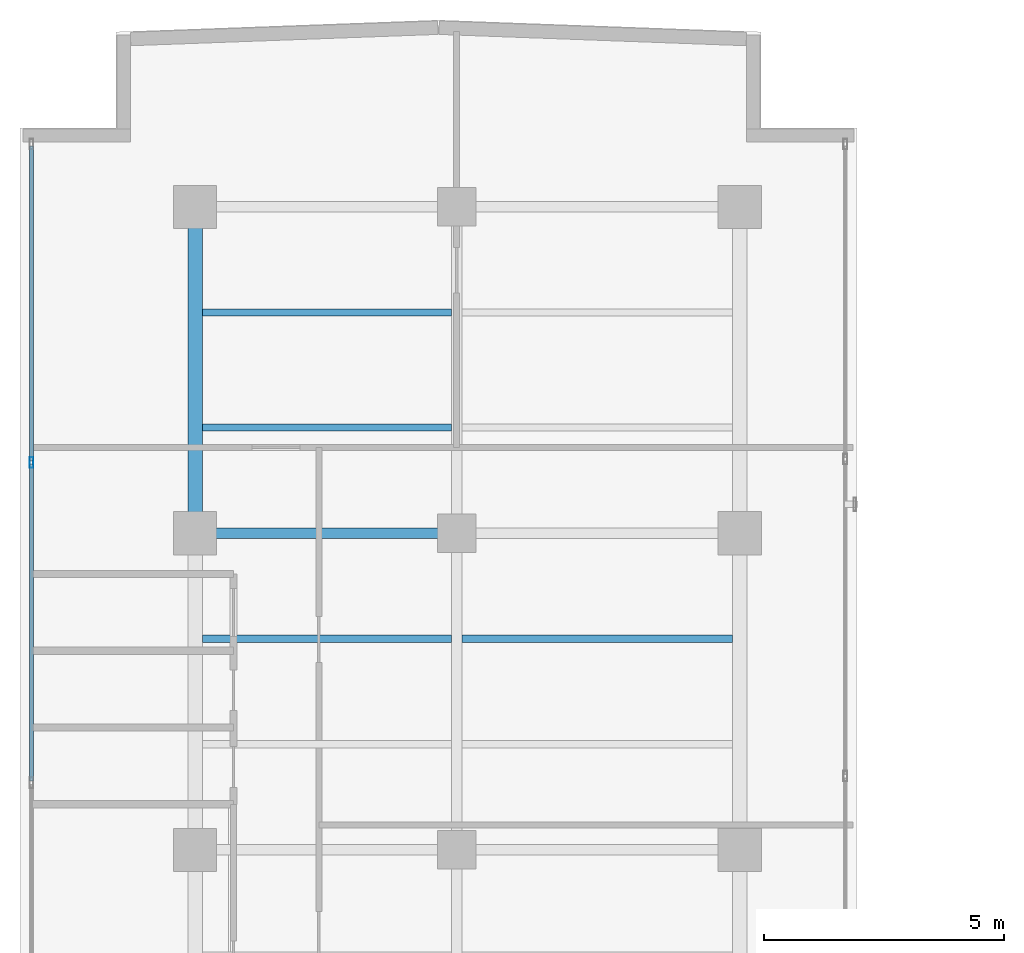
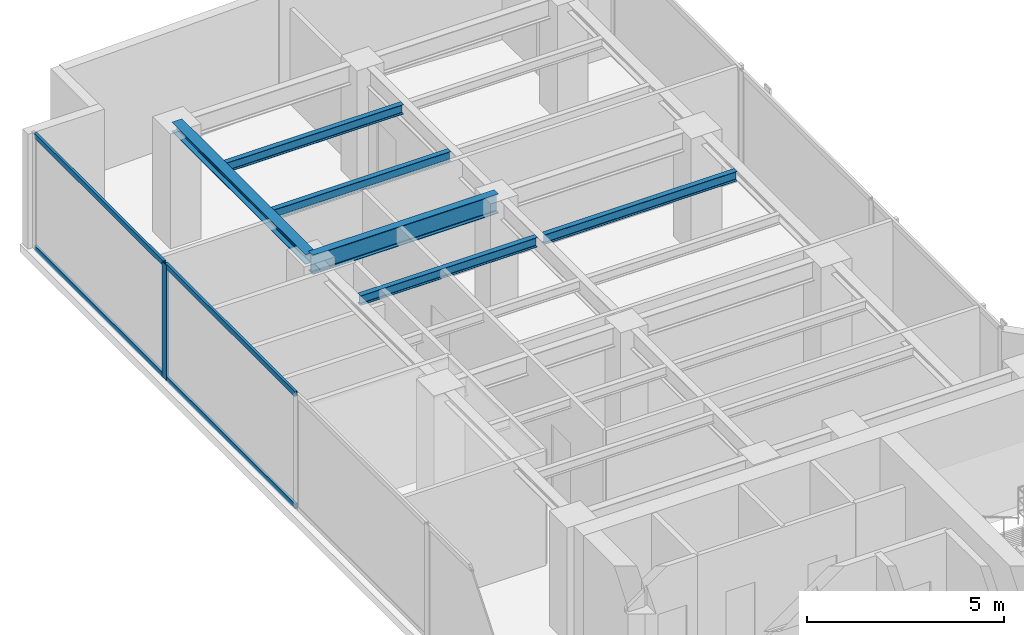
# One storey, part 12 of 23: 6 beams, 5 members, 1 element without a shape of its own.
"""IFC4 building model written with IfcOpenShell, lengths in metres."""

import ifcopenshell
import ifcopenshell.guid

model = None  # the IFC model being written
_history = None  # IfcOwnerHistory: only IFC2X3 demands one
_inside = {}  # id of a spatial element -> (the spatial element, [elements in it])
_under = {}  # id of a project, library or spatial element -> (it, [spatial elements below it])
_declared = {}  # id of a project -> (the project, [libraries it declares])
_typed = {}  # id of a type object -> (the type object, [elements of that type])
_made_of = {}  # id of a material, layer set ... -> (it, [elements and type objects made of it])


def new_model(schema):
    """Start an empty IFC model of exactly this schema.

    Asked for "IFC4X3", IfcOpenShell would pick the latest addendum, in which some entities
    have other attributes; the version numbers below select the first issue.
    IFC2X3 requires an IfcOwnerHistory on every rooted entity: one is made here for all.
    """
    global model, _history
    if schema == "IFC4X3":
        model = ifcopenshell.file(schema_version=(4, 3, 0, 0))
    else:
        model = ifcopenshell.file(schema=schema)
    _inside.clear()
    _under.clear()
    _declared.clear()
    _typed.clear()
    _made_of.clear()
    _history = None
    if model.schema == "IFC2X3":
        org = make("IfcOrganization", Name="unknown")
        user = make(
            "IfcPersonAndOrganization",
            ThePerson=make("IfcPerson", FamilyName="unknown"),
            TheOrganization=org,
        )
        app = make(
            "IfcApplication",
            ApplicationDeveloper=org,
            Version="unknown",
            ApplicationFullName="unknown",
            ApplicationIdentifier="unknown",
        )
        _history = make(
            "IfcOwnerHistory",
            OwningUser=user,
            OwningApplication=app,
            ChangeAction="ADDED",
            CreationDate=0,
        )
    return model


def make(cls, **values):
    """One entity of the class cls with the attributes given. An attribute that is None is left unset."""
    return model.create_entity(
        cls, **{name: value for name, value in values.items() if value is not None}
    )


def rooted(cls, **values):
    """An entity with a GlobalId (a new one), such as an element, a storey or a relation."""
    return make(cls, GlobalId=ifcopenshell.guid.new(), OwnerHistory=_history, **values)


def si_unit(unit_type, name, prefix=None):
    """IfcSIUnit, for example si_unit("LENGTHUNIT", "METRE", prefix="MILLI")."""
    return make("IfcSIUnit", UnitType=unit_type, Prefix=prefix, Name=name)


def assignment(units):
    """IfcUnitAssignment: the units of a project."""
    return None if units is None else make("IfcUnitAssignment", Units=units)


def point(xyz):
    """IfcCartesianPoint."""
    return None if xyz is None else make("IfcCartesianPoint", Coordinates=xyz)


def direction(xyz):
    """IfcDirection."""
    return None if xyz is None else make("IfcDirection", DirectionRatios=xyz)


def frame(location, z_axis=None, x_axis=None):
    """IfcAxis2Placement3D, a coordinate frame: its origin and axes. An axis left out is left unset."""
    return make(
        "IfcAxis2Placement3D",
        Location=point(location),
        Axis=direction(z_axis),
        RefDirection=direction(x_axis),
    )


def frame_2d(location, x_axis=None):
    """IfcAxis2Placement2D, a coordinate frame in the plane: its origin and x axis."""
    return make(
        "IfcAxis2Placement2D", Location=point(location), RefDirection=direction(x_axis)
    )


def origin():
    """The frame at (0, 0, 0) with its axes left unset."""
    return frame((0.0, 0.0, 0.0))


def origin_with_axes():
    """The frame at (0, 0, 0) with the z axis (0, 0, 1) and the x axis (1, 0, 0) written out."""
    return frame((0.0, 0.0, 0.0), z_axis=(0.0, 0.0, 1.0), x_axis=(1.0, 0.0, 0.0))


def origin_2d():
    """The frame at (0, 0) in the plane with its x axis left unset."""
    return frame_2d((0.0, 0.0))


def place(relative_to, where):
    """IfcLocalPlacement: puts the frame where relative to a parent placement (None: the world)."""
    return make(
        "IfcLocalPlacement", PlacementRelTo=relative_to, RelativePlacement=where
    )


def context(
    kind, dimensions, precision=None, world=None, true_north=None, identifier=None
):
    """IfcGeometricRepresentationContext, for example the 3D "Model" context."""
    return make(
        "IfcGeometricRepresentationContext",
        ContextIdentifier=identifier,
        ContextType=kind,
        CoordinateSpaceDimension=dimensions,
        Precision=precision,
        WorldCoordinateSystem=world,
        TrueNorth=true_north,
    )


def subcontext(parent, identifier, kind, view, scale=None):
    """IfcGeometricRepresentationSubContext, for example "Body" below "Model"."""
    return make(
        "IfcGeometricRepresentationSubContext",
        ContextIdentifier=identifier,
        ContextType=kind,
        ParentContext=parent,
        TargetScale=scale,
        TargetView=view,
    )


def project(units=None, contexts=None):
    """IfcProject with its units and contexts."""
    return rooted(
        "IfcProject",
        Name="project",
        RepresentationContexts=contexts,
        UnitsInContext=assignment(units),
    )


def spatial(cls, under=None, at=None, **own):
    """A site, building, storey or space (cls), placed at a placement, below another one or the project."""
    s = rooted(cls, ObjectPlacement=at, **own)
    if under is not None:
        _under.setdefault(under.id(), (under, []))[1].append(s)
    return s


def profile(cls, at=None, kind="AREA", **sizes):
    """A parametric profile (cls). Its sizes go by their IFC names, for example OverallWidth=200.0."""
    return make(cls, ProfileType=kind, Position=at, **sizes)


def hollow_rectangle(**sizes):
    """IfcRectangleHollowProfileDef."""
    return profile("IfcRectangleHollowProfileDef", **sizes)


def i_section(**sizes):
    """IfcIShapeProfileDef."""
    return profile("IfcIShapeProfileDef", **sizes)


def extrude(swept, where, along, depth):
    """IfcExtrudedAreaSolid: the profile swept, set in the frame where, extruded along a direction by depth."""
    return make(
        "IfcExtrudedAreaSolid",
        SweptArea=swept,
        Position=where,
        ExtrudedDirection=direction(along),
        Depth=depth,
    )


def shape(context_of_items, identifier, shape_type, items):
    """IfcShapeRepresentation: the items that make up one representation, for example the "Body"."""
    return make(
        "IfcShapeRepresentation",
        ContextOfItems=context_of_items,
        RepresentationIdentifier=identifier,
        RepresentationType=shape_type,
        Items=items,
    )


def source(mapping_origin, context_of_items, identifier, shape_type, items):
    """IfcRepresentationMap: a shape defined once, which mapped items show again and again."""
    return make(
        "IfcRepresentationMap",
        MappingOrigin=mapping_origin,
        MappedRepresentation=shape(context_of_items, identifier, shape_type, items),
    )


def transform(
    local_origin,
    x_axis=None,
    y_axis=None,
    z_axis=None,
    scale=None,
    scale2=None,
    scale3=None,
    uniform=True,
):
    """IfcCartesianTransformationOperator3D, or its non-uniform kind. x_axis, y_axis, z_axis: its Axis1, 2, 3."""
    if uniform:
        return make(
            "IfcCartesianTransformationOperator3D",
            Axis1=direction(x_axis),
            Axis2=direction(y_axis),
            LocalOrigin=point(local_origin),
            Scale=scale,
            Axis3=direction(z_axis),
        )
    return make(
        "IfcCartesianTransformationOperator3DnonUniform",
        Axis1=direction(x_axis),
        Axis2=direction(y_axis),
        LocalOrigin=point(local_origin),
        Scale=scale,
        Axis3=direction(z_axis),
        Scale2=scale2,
        Scale3=scale3,
    )


def mapped(mapping_source, mapping_target):
    """IfcMappedItem: shows the shape of a source again, moved by a transform."""
    return make(
        "IfcMappedItem", MappingSource=mapping_source, MappingTarget=mapping_target
    )


def material(Name=None, Category=None):
    """IfcMaterial."""
    return make("IfcMaterial", Name=Name, Category=Category)


def layer(
    of_material, thickness, ventilated=None, Name=None, Category=None, Priority=None
):
    """IfcMaterialLayer: one layer of a wall or slab, of a material (None: an air gap)."""
    return make(
        "IfcMaterialLayer",
        Material=of_material,
        LayerThickness=thickness,
        IsVentilated=ventilated,
        Name=Name,
        Category=Category,
        Priority=Priority,
    )


def layer_set(layers, Name=None):
    """IfcMaterialLayerSet."""
    return make("IfcMaterialLayerSet", MaterialLayers=layers, LayerSetName=Name)


def material_profile(
    of_material, cross_section, Name=None, Category=None, Priority=None
):
    """IfcMaterialProfile: a cross section and its material."""
    return make(
        "IfcMaterialProfile",
        Name=Name,
        Material=of_material,
        Profile=cross_section,
        Priority=Priority,
        Category=Category,
    )


def profile_set(profiles, Name=None, composite=None):
    """IfcMaterialProfileSet."""
    return make(
        "IfcMaterialProfileSet",
        Name=Name,
        MaterialProfiles=profiles,
        CompositeProfile=composite,
    )


def made_of(thing, what):
    """Note that an element or type object is made of a material, layer set ...; save() writes the relation."""
    if what is not None:
        _made_of.setdefault(what.id(), (what, []))[1].append(thing)
    return thing


def type_object(cls, material=None, **own):
    """A type object (cls), such as IfcWallType, which elements share."""
    return made_of(rooted(cls, **own), material)


def element(
    cls,
    number,
    at=None,
    inside=None,
    cuts=None,
    type_object=None,
    material=None,
    context=None,
    identifier="Body",
    shape_type=None,
    held_by="IfcProductDefinitionShape",
    body=None,
    shapes=None,
    **own,
):
    """One element of the class cls, such as IfcWall. Its Tag is "e" and its number.

    at: its placement. inside: the storey or other place that contains it. cuts: it is an
    opening in that element (IfcRelVoidsElement). A single representation is given by context,
    identifier, shape_type and body (its items); several are given by shapes. held_by: the class
    of the entity that holds the representations. save() writes the other relations.
    """
    e = rooted(cls, Tag="e%d" % number, ObjectPlacement=at, **own)
    if body is not None:
        shapes = [shape(context, identifier, shape_type, body)]
    if shapes is not None:
        e.Representation = make(held_by, Representations=shapes)
    if inside is not None:
        _inside.setdefault(inside.id(), (inside, []))[1].append(e)
    if cuts is not None:
        rooted(
            "IfcRelVoidsElement", RelatingBuildingElement=cuts, RelatedOpeningElement=e
        )
    if type_object is not None:
        _typed.setdefault(type_object.id(), (type_object, []))[1].append(e)
    return made_of(e, material)


def aggregate(whole, parts):
    """IfcRelAggregates: a whole, such as a stair, and the parts it consists of."""
    return rooted("IfcRelAggregates", RelatingObject=whole, RelatedObjects=parts)


def save(model, path):
    """Write the relations noted so far, then the file.

    IfcRelAggregates (storeys below a building ...), IfcRelContainedInSpatialStructure (elements
    in a storey), IfcRelDefinesByType, IfcRelAssociatesMaterial and IfcRelDeclares: one each for
    every whole, place, type object, material and project.
    """
    for whole, parts in _under.values():
        aggregate(whole, parts)
    for where, things in _inside.values():
        rooted(
            "IfcRelContainedInSpatialStructure",
            RelatedElements=things,
            RelatingStructure=where,
        )
    for kind, things in _typed.values():
        rooted("IfcRelDefinesByType", RelatedObjects=things, RelatingType=kind)
    for what, things in _made_of.values():
        rooted("IfcRelAssociatesMaterial", RelatedObjects=things, RelatingMaterial=what)
    for by, libraries in _declared.values():
        rooted("IfcRelDeclares", RelatingContext=by, RelatedDefinitions=libraries)
    model.write(path)


model = new_model("IFC4")

# Units and contexts
model_context = context("Model", 3, precision=1e-05, world=origin(), true_north=direction((0.0, 1.0)))
body_context = subcontext(model_context, "Body", "Model", "MODEL_VIEW")
ifc_project = project(units=[si_unit("LENGTHUNIT", "METRE"), si_unit("AREAUNIT", "SQUARE_METRE"), si_unit("VOLUMEUNIT", "CUBIC_METRE"), si_unit("PLANEANGLEUNIT", "RADIAN"), si_unit("MASSUNIT", "GRAM", prefix="KILO")], contexts=[model_context])

# Site, building, storey
site_placement = place(None, origin())
site = spatial("IfcSite", under=ifc_project, at=site_placement, CompositionType="ELEMENT")
building_placement = place(site_placement, origin())
building = spatial("IfcBuilding", under=site, at=building_placement, Name="Kolvaren Waterfront Exchange", CompositionType="ELEMENT")
storey_placement = place(building_placement, frame((0.0, 0.0, 319.800048828125)))
storey = spatial("IfcBuildingStorey", under=building, at=storey_placement, Name="L82", CompositionType="ELEMENT", Elevation=319.800048828125)

# Beams
ifc_material_1 = material(Name="Steel S355", Category="steel")
ifc_material_profile_1 = material_profile(ifc_material_1, i_section(OverallWidth=0.300048828125, OverallDepth=0.300048828125, WebThickness=0.010986328125, FlangeThickness=0.01904296875, FilletRadius=0.027099609375, at=origin_2d()), Name="HEB300")
ifc_profile_set_1 = profile_set([ifc_material_profile_1], Name="Steel S355")
beam_type_1 = type_object("IfcBeamType", Name="STR-BM-HEB300", PredefinedType="SPANDREL", material=ifc_profile_set_1)
beam_1_placement = place(storey_placement, frame((7.449951171875, 37.800048828125, 3.409912109375), z_axis=(0.0, 1.0, 0.0), x_axis=(-1.0, 0.0, 0.0)))
element("IfcBeam", 1, at=beam_1_placement, inside=storey, type_object=beam_type_1, Name="L82 north-arm edge beam 3", PredefinedType="SPANDREL", context=body_context, shape_type="SweptSolid", body=[
    extrude(i_section(OverallWidth=0.300048828125, OverallDepth=0.300048828125, WebThickness=0.010986328125, FlangeThickness=0.01904296875, FilletRadius=0.027099609375, at=origin_2d()), origin(), (0.0, 0.0, 1.0), 6.800048828125),
])
ifc_material_profile_2 = material_profile(ifc_material_1, i_section(OverallWidth=0.14990234375, OverallDepth=0.300048828125, WebThickness=0.007080078125, FlangeThickness=0.0107421875, FilletRadius=0.014892578125, at=origin_2d()), Name="IPE300")
ifc_profile_set_2 = profile_set([ifc_material_profile_2], Name="Steel S355")
beam_type_2 = type_object("IfcBeamType", Name="STR-BM-IPE300", PredefinedType="JOIST", material=ifc_profile_set_2)
beam_2_placement = place(storey_placement, frame((7.60205078125, 35.60009765625, 3.409912109375), z_axis=(1.0, 0.0, 0.0), x_axis=(0.0, 1.0, 0.0)))
element("IfcBeam", 2, at=beam_2_placement, inside=storey, type_object=beam_type_2, Name="L82 north-arm composite joist 4A", PredefinedType="JOIST", context=body_context, shape_type="SweptSolid", body=[
    extrude(i_section(OverallWidth=0.14990234375, OverallDepth=0.300048828125, WebThickness=0.007080078125, FlangeThickness=0.0107421875, FilletRadius=0.014892578125, at=origin_2d()), origin(), (0.0, 0.0, 1.0), 5.18603515625),
])
beam_3_placement = place(storey_placement, frame((13.011962890625, 35.60009765625, 3.409912109375), z_axis=(1.0, 0.0, 0.0), x_axis=(0.0, 1.0, 0.0)))
element("IfcBeam", 3, at=beam_3_placement, inside=storey, type_object=beam_type_2, Name="L82 north-arm composite joist 4B", PredefinedType="JOIST", context=body_context, shape_type="SweptSolid", body=[
    extrude(i_section(OverallWidth=0.14990234375, OverallDepth=0.300048828125, WebThickness=0.007080078125, FlangeThickness=0.0107421875, FilletRadius=0.014892578125, at=origin_2d()), origin(), (0.0, 0.0, 1.0), 5.635986328125),
])
for number, where, z_axis, x_axis, name in (
    (4, (7.60205078125, 40.0, 3.409912109375), (1.0, 0.0, 0.0), (0.0, 1.0, 0.0), "L82 north-arm composite joist 5A"),
    (5, (7.60205078125, 42.39990234375, 3.409912109375), (1.0, 0.0, 0.0), (0.0, 1.0, 0.0), "L82 north-arm composite joist 6A"),
):
    element("IfcBeam", number, at=place(storey_placement, frame(where, z_axis=z_axis, x_axis=x_axis)), inside=storey, type_object=beam_type_2, Name=name, PredefinedType="JOIST", context=body_context, shape_type="SweptSolid", body=[
        extrude(i_section(OverallWidth=0.14990234375, OverallDepth=0.300048828125, WebThickness=0.007080078125, FlangeThickness=0.0107421875, FilletRadius=0.014892578125, at=origin_2d()), origin(), (0.0, 0.0, 1.0), 5.18603515625),
    ])
ifc_material_profile_3 = material_profile(ifc_material_1, i_section(OverallWidth=0.219970703125, OverallDepth=0.60009765625, WebThickness=0.011962890625, FlangeThickness=0.01904296875, FilletRadius=0.02392578125, at=origin_2d()), Name="IPE600")
ifc_profile_set_3 = profile_set([ifc_material_profile_3], Name="Steel S355")
beam_type_3 = type_object("IfcBeamType", Name="STR-BM-IPE600", PredefinedType="BEAM", material=ifc_profile_set_3)
beam_4_placement = place(storey_placement, frame((7.449951171875, 37.800048828125, 3.260009765625), z_axis=(1.0, 0.0, 0.0), x_axis=(0.0, 1.0, 0.0)))
element("IfcBeam", 6, at=beam_4_placement, inside=storey, type_object=beam_type_3, Name="L82 north-arm girder 3A", PredefinedType="BEAM", context=body_context, shape_type="SweptSolid", body=[
    extrude(i_section(OverallWidth=0.219970703125, OverallDepth=0.60009765625, WebThickness=0.011962890625, FlangeThickness=0.01904296875, FilletRadius=0.02392578125, at=origin_2d()), origin(), (0.0, 0.0, 1.0), 5.449951171875),
])

# Curtain wall, members
ifc_material_2 = material(Name="Anodised aluminium 6063-T6", Category="aluminium")
ifc_layer = layer(ifc_material_2, 0.219970703125, Name="Anodised aluminium 6063-T6")
ifc_layer_set = layer_set([ifc_layer], Name="Anodised aluminium 6063-T6")
curtain_wall_type = type_object("IfcCurtainWallType", Name="ARC-CW-SYS2", PredefinedType="USERDEFINED", material=ifc_layer_set)
curtain_wall_placement = place(storey_placement, origin())
curtain_wall = element("IfcCurtainWall", 7, at=curtain_wall_placement, inside=storey, type_object=curtain_wall_type, Name="L82 stick curtain wall CW2 (CW-L82-W)", ObjectType="STICK CURTAIN WALL", PredefinedType="USERDEFINED")
ifc_material_profile_4 = material_profile(ifc_material_2, hollow_rectangle(XDim=0.080078125, YDim=0.219970703125, WallThickness=0.0048828125, at=origin_2d()), Name="ALU-MUL-220x80x5")
ifc_profile_set_4 = profile_set([ifc_material_profile_4], Name="Anodised aluminium 6063-T6")
member_type_1 = type_object("IfcMemberType", Name="ARC-CWM-220", PredefinedType="MULLION", material=ifc_profile_set_4)
shared_shape_1 = source(origin_with_axes(), body_context, "Body", "SweptSolid", [
    extrude(hollow_rectangle(XDim=0.080078125, YDim=0.219970703125, WallThickness=0.0048828125, at=origin_2d()), origin(), (0.0, 0.0, 1.0), 3.56005859375),
])
member_1_placement = place(storey_placement, frame((4.0400390625, 39.27294921875, 0.0), z_axis=(0.0, 0.0, 1.0), x_axis=(-1.0, 0.0, 0.0)))
member_1 = element("IfcMember", 8, at=member_1_placement, type_object=member_type_1, Name="CW2 mullion 6", PredefinedType="MULLION", context=body_context, shape_type="MappedRepresentation", body=[
    mapped(shared_shape_1, transform((0.0, 0.0, 0.0), x_axis=(1.0, 0.0, 0.0), y_axis=(0.0, 1.0, 0.0), z_axis=(0.0, 0.0, 1.0), scale=1.0)),
])
ifc_material_profile_5 = material_profile(ifc_material_2, hollow_rectangle(XDim=0.074951171875, YDim=0.159912109375, WallThickness=0.00439453125, at=origin_2d()), Name="ALU-TRN-160x75x4.5")
ifc_profile_set_5 = profile_set([ifc_material_profile_5], Name="Anodised aluminium 6063-T6")
member_type_2 = type_object("IfcMemberType", Name="ARC-CWT-160", PredefinedType="USERDEFINED", material=ifc_profile_set_5)
shared_shape_2 = source(origin_with_axes(), body_context, "Body", "SweptSolid", [
    extrude(hollow_rectangle(XDim=0.074951171875, YDim=0.159912109375, WallThickness=0.00439453125, at=origin_2d()), origin(), (0.0, 0.0, 1.0), 6.5546875),
])
member_2_placement = place(storey_placement, frame((4.0400390625, 39.312744140625, 0.037353515625), z_axis=(0.0, 1.0, 0.0), x_axis=(-1.0, 0.0, 0.0)))
member_2 = element("IfcMember", 9, at=member_2_placement, type_object=member_type_2, Name="CW2 transom 6.1", ObjectType="TRANSOM", PredefinedType="USERDEFINED", context=body_context, shape_type="MappedRepresentation", body=[
    mapped(shared_shape_2, transform((0.0, 0.0, 0.0), x_axis=(1.0, 0.0, 0.0), y_axis=(0.0, 1.0, 0.0), z_axis=(0.0, 0.0, 1.0), scale=1.0)),
])
member_3_placement = place(storey_placement, frame((4.0400390625, 39.312744140625, 3.5224609375), z_axis=(0.0, 1.0, 0.0), x_axis=(-1.0, 0.0, 0.0)))
member_3 = element("IfcMember", 10, at=member_3_placement, type_object=member_type_2, Name="CW2 transom 6.2", ObjectType="TRANSOM", PredefinedType="USERDEFINED", context=body_context, shape_type="MappedRepresentation", body=[
    mapped(shared_shape_2, transform((0.0, 0.0, 0.0), x_axis=(1.0, 0.0, 0.0), y_axis=(0.0, 1.0, 0.0), z_axis=(0.0, 0.0, 1.0), scale=1.0)),
])
shared_shape_3 = source(origin_with_axes(), body_context, "Body", "SweptSolid", [
    extrude(hollow_rectangle(XDim=0.074951171875, YDim=0.159912109375, WallThickness=0.00439453125, at=origin_2d()), origin(), (0.0, 0.0, 1.0), 6.5947265625),
])
member_4_placement = place(storey_placement, frame((4.0400390625, 32.63818359375, 0.037353515625), z_axis=(0.0, 1.0, 0.0), x_axis=(-1.0, 0.0, 0.0)))
member_4 = element("IfcMember", 11, at=member_4_placement, type_object=member_type_2, Name="CW2 transom 5.1", ObjectType="TRANSOM", PredefinedType="USERDEFINED", context=body_context, shape_type="MappedRepresentation", body=[
    mapped(shared_shape_3, transform((0.0, 0.0, 0.0), x_axis=(1.0, 0.0, 0.0), y_axis=(0.0, 1.0, 0.0), z_axis=(0.0, 0.0, 1.0), scale=1.0)),
])
member_5_placement = place(storey_placement, frame((4.0400390625, 32.63818359375, 3.5224609375), z_axis=(0.0, 1.0, 0.0), x_axis=(-1.0, 0.0, 0.0)))
member_5 = element("IfcMember", 12, at=member_5_placement, type_object=member_type_2, Name="CW2 transom 5.2", ObjectType="TRANSOM", PredefinedType="USERDEFINED", context=body_context, shape_type="MappedRepresentation", body=[
    mapped(shared_shape_3, transform((0.0, 0.0, 0.0), x_axis=(1.0, 0.0, 0.0), y_axis=(0.0, 1.0, 0.0), z_axis=(0.0, 0.0, 1.0), scale=1.0)),
])
aggregate(curtain_wall, [member_1, member_4, member_5, member_2, member_3])

save(model, "model.ifc")
